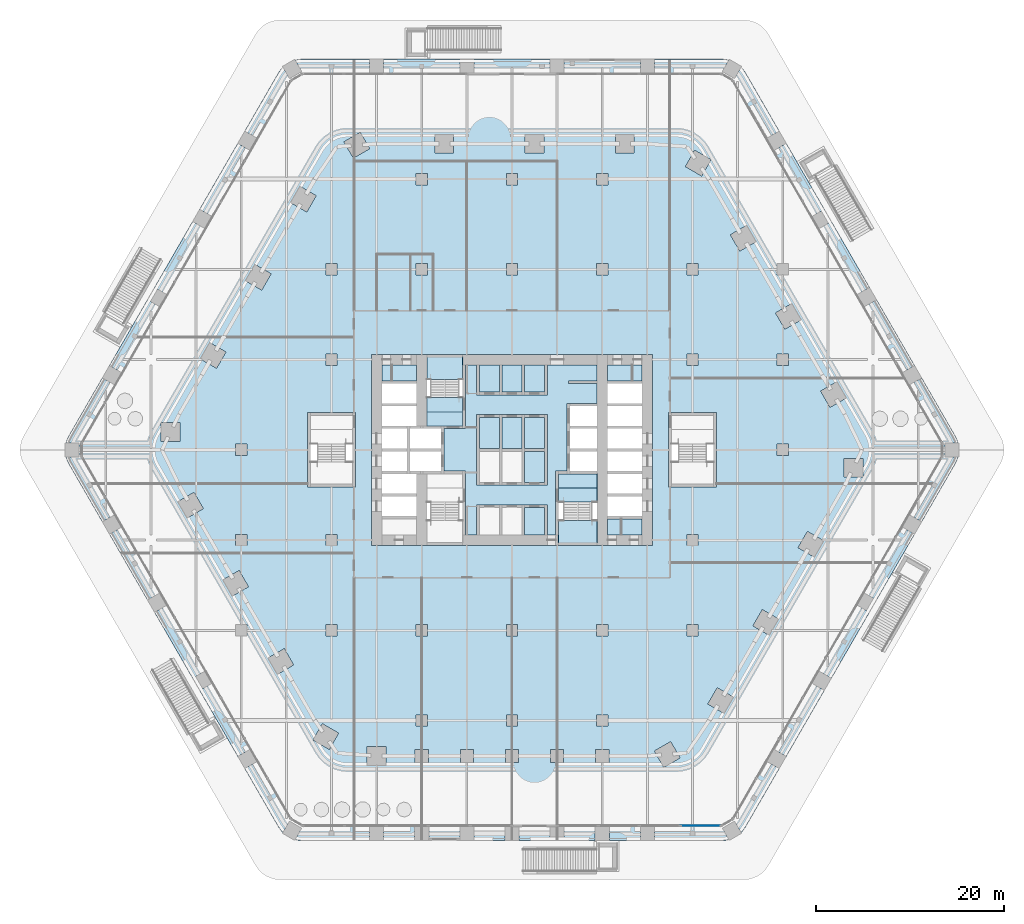
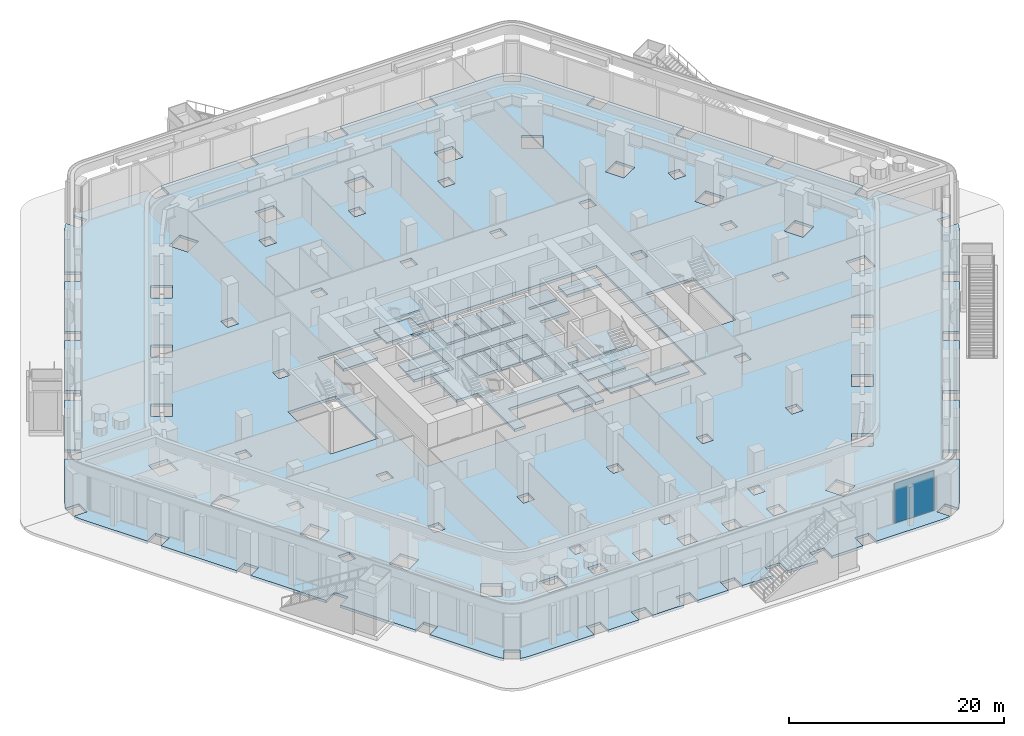
# One storey, part 14 of 34: 23 slabs, 1 plate, 3 elements without a shape of their own.
"""IFC4 building model written with IfcOpenShell, lengths in metres."""

import ifcopenshell
import ifcopenshell.guid

model = None  # the IFC model being written
_history = None  # IfcOwnerHistory: only IFC2X3 demands one
_inside = {}  # id of a spatial element -> (the spatial element, [elements in it])
_under = {}  # id of a project, library or spatial element -> (it, [spatial elements below it])
_declared = {}  # id of a project -> (the project, [libraries it declares])
_typed = {}  # id of a type object -> (the type object, [elements of that type])
_made_of = {}  # id of a material, layer set ... -> (it, [elements and type objects made of it])


def new_model(schema):
    """Start an empty IFC model of exactly this schema.

    Asked for "IFC4X3", IfcOpenShell would pick the latest addendum, in which some entities
    have other attributes; the version numbers below select the first issue.
    IFC2X3 requires an IfcOwnerHistory on every rooted entity: one is made here for all.
    """
    global model, _history
    if schema == "IFC4X3":
        model = ifcopenshell.file(schema_version=(4, 3, 0, 0))
    else:
        model = ifcopenshell.file(schema=schema)
    _inside.clear()
    _under.clear()
    _declared.clear()
    _typed.clear()
    _made_of.clear()
    _history = None
    if model.schema == "IFC2X3":
        org = make("IfcOrganization", Name="unknown")
        user = make(
            "IfcPersonAndOrganization",
            ThePerson=make("IfcPerson", FamilyName="unknown"),
            TheOrganization=org,
        )
        app = make(
            "IfcApplication",
            ApplicationDeveloper=org,
            Version="unknown",
            ApplicationFullName="unknown",
            ApplicationIdentifier="unknown",
        )
        _history = make(
            "IfcOwnerHistory",
            OwningUser=user,
            OwningApplication=app,
            ChangeAction="ADDED",
            CreationDate=0,
        )
    return model


def make(cls, **values):
    """One entity of the class cls with the attributes given. An attribute that is None is left unset."""
    return model.create_entity(
        cls, **{name: value for name, value in values.items() if value is not None}
    )


def rooted(cls, **values):
    """An entity with a GlobalId (a new one), such as an element, a storey or a relation."""
    return make(cls, GlobalId=ifcopenshell.guid.new(), OwnerHistory=_history, **values)


def si_unit(unit_type, name, prefix=None):
    """IfcSIUnit, for example si_unit("LENGTHUNIT", "METRE", prefix="MILLI")."""
    return make("IfcSIUnit", UnitType=unit_type, Prefix=prefix, Name=name)


def assignment(units):
    """IfcUnitAssignment: the units of a project."""
    return None if units is None else make("IfcUnitAssignment", Units=units)


def point(xyz):
    """IfcCartesianPoint."""
    return None if xyz is None else make("IfcCartesianPoint", Coordinates=xyz)


def direction(xyz):
    """IfcDirection."""
    return None if xyz is None else make("IfcDirection", DirectionRatios=xyz)


def frame(location, z_axis=None, x_axis=None):
    """IfcAxis2Placement3D, a coordinate frame: its origin and axes. An axis left out is left unset."""
    return make(
        "IfcAxis2Placement3D",
        Location=point(location),
        Axis=direction(z_axis),
        RefDirection=direction(x_axis),
    )


def frame_2d(location, x_axis=None):
    """IfcAxis2Placement2D, a coordinate frame in the plane: its origin and x axis."""
    return make(
        "IfcAxis2Placement2D", Location=point(location), RefDirection=direction(x_axis)
    )


def origin():
    """The frame at (0, 0, 0) with its axes left unset."""
    return frame((0.0, 0.0, 0.0))


def origin_2d():
    """The frame at (0, 0) in the plane with its x axis left unset."""
    return frame_2d((0.0, 0.0))


def place(relative_to, where):
    """IfcLocalPlacement: puts the frame where relative to a parent placement (None: the world)."""
    return make(
        "IfcLocalPlacement", PlacementRelTo=relative_to, RelativePlacement=where
    )


def context(
    kind, dimensions, precision=None, world=None, true_north=None, identifier=None
):
    """IfcGeometricRepresentationContext, for example the 3D "Model" context."""
    return make(
        "IfcGeometricRepresentationContext",
        ContextIdentifier=identifier,
        ContextType=kind,
        CoordinateSpaceDimension=dimensions,
        Precision=precision,
        WorldCoordinateSystem=world,
        TrueNorth=true_north,
    )


def subcontext(parent, identifier, kind, view, scale=None):
    """IfcGeometricRepresentationSubContext, for example "Body" below "Model"."""
    return make(
        "IfcGeometricRepresentationSubContext",
        ContextIdentifier=identifier,
        ContextType=kind,
        ParentContext=parent,
        TargetScale=scale,
        TargetView=view,
    )


def project(units=None, contexts=None):
    """IfcProject with its units and contexts."""
    return rooted(
        "IfcProject",
        Name="project",
        RepresentationContexts=contexts,
        UnitsInContext=assignment(units),
    )


def spatial(cls, under=None, at=None, **own):
    """A site, building, storey or space (cls), placed at a placement, below another one or the project."""
    s = rooted(cls, ObjectPlacement=at, **own)
    if under is not None:
        _under.setdefault(under.id(), (under, []))[1].append(s)
    return s


def polyline(points):
    """IfcPolyline through the points."""
    return make("IfcPolyline", Points=[point(p) for p in points])


def profile(cls, at=None, kind="AREA", **sizes):
    """A parametric profile (cls). Its sizes go by their IFC names, for example OverallWidth=200.0."""
    return make(cls, ProfileType=kind, Position=at, **sizes)


def rectangle(**sizes):
    """IfcRectangleProfileDef."""
    return profile("IfcRectangleProfileDef", **sizes)


def outline(outer, holes=None, kind="AREA"):
    """IfcArbitraryClosedProfileDef: a profile drawn as a closed curve; with holes, ...WithVoids."""
    if holes is None:
        return make("IfcArbitraryClosedProfileDef", ProfileType=kind, OuterCurve=outer)
    return make(
        "IfcArbitraryProfileDefWithVoids",
        ProfileType=kind,
        OuterCurve=outer,
        InnerCurves=holes,
    )


def extrude(swept, where, along, depth):
    """IfcExtrudedAreaSolid: the profile swept, set in the frame where, extruded along a direction by depth."""
    return make(
        "IfcExtrudedAreaSolid",
        SweptArea=swept,
        Position=where,
        ExtrudedDirection=direction(along),
        Depth=depth,
    )


def shape(context_of_items, identifier, shape_type, items):
    """IfcShapeRepresentation: the items that make up one representation, for example the "Body"."""
    return make(
        "IfcShapeRepresentation",
        ContextOfItems=context_of_items,
        RepresentationIdentifier=identifier,
        RepresentationType=shape_type,
        Items=items,
    )


def material(Name=None, Category=None):
    """IfcMaterial."""
    return make("IfcMaterial", Name=Name, Category=Category)


def layer(
    of_material, thickness, ventilated=None, Name=None, Category=None, Priority=None
):
    """IfcMaterialLayer: one layer of a wall or slab, of a material (None: an air gap)."""
    return make(
        "IfcMaterialLayer",
        Material=of_material,
        LayerThickness=thickness,
        IsVentilated=ventilated,
        Name=Name,
        Category=Category,
        Priority=Priority,
    )


def layer_set(layers, Name=None):
    """IfcMaterialLayerSet."""
    return make("IfcMaterialLayerSet", MaterialLayers=layers, LayerSetName=Name)


def made_of(thing, what):
    """Note that an element or type object is made of a material, layer set ...; save() writes the relation."""
    if what is not None:
        _made_of.setdefault(what.id(), (what, []))[1].append(thing)
    return thing


def type_object(cls, material=None, **own):
    """A type object (cls), such as IfcWallType, which elements share."""
    return made_of(rooted(cls, **own), material)


def element(
    cls,
    number,
    at=None,
    inside=None,
    cuts=None,
    type_object=None,
    material=None,
    context=None,
    identifier="Body",
    shape_type=None,
    held_by="IfcProductDefinitionShape",
    body=None,
    shapes=None,
    **own,
):
    """One element of the class cls, such as IfcWall. Its Tag is "e" and its number.

    at: its placement. inside: the storey or other place that contains it. cuts: it is an
    opening in that element (IfcRelVoidsElement). A single representation is given by context,
    identifier, shape_type and body (its items); several are given by shapes. held_by: the class
    of the entity that holds the representations. save() writes the other relations.
    """
    e = rooted(cls, Tag="e%d" % number, ObjectPlacement=at, **own)
    if body is not None:
        shapes = [shape(context, identifier, shape_type, body)]
    if shapes is not None:
        e.Representation = make(held_by, Representations=shapes)
    if inside is not None:
        _inside.setdefault(inside.id(), (inside, []))[1].append(e)
    if cuts is not None:
        rooted(
            "IfcRelVoidsElement", RelatingBuildingElement=cuts, RelatedOpeningElement=e
        )
    if type_object is not None:
        _typed.setdefault(type_object.id(), (type_object, []))[1].append(e)
    return made_of(e, material)


def aggregate(whole, parts):
    """IfcRelAggregates: a whole, such as a stair, and the parts it consists of."""
    return rooted("IfcRelAggregates", RelatingObject=whole, RelatedObjects=parts)


def save(model, path):
    """Write the relations noted so far, then the file.

    IfcRelAggregates (storeys below a building ...), IfcRelContainedInSpatialStructure (elements
    in a storey), IfcRelDefinesByType, IfcRelAssociatesMaterial and IfcRelDeclares: one each for
    every whole, place, type object, material and project.
    """
    for whole, parts in _under.values():
        aggregate(whole, parts)
    for where, things in _inside.values():
        rooted(
            "IfcRelContainedInSpatialStructure",
            RelatedElements=things,
            RelatingStructure=where,
        )
    for kind, things in _typed.values():
        rooted("IfcRelDefinesByType", RelatedObjects=things, RelatingType=kind)
    for what, things in _made_of.values():
        rooted("IfcRelAssociatesMaterial", RelatedObjects=things, RelatingMaterial=what)
    for by, libraries in _declared.values():
        rooted("IfcRelDeclares", RelatingContext=by, RelatedDefinitions=libraries)
    model.write(path)


model = new_model("IFC4")

# Units and contexts
model_context = context("Model", 3, precision=1e-05, world=origin(), true_north=direction((0.0, 1.0)))
body_context = subcontext(model_context, "Body", "Model", "MODEL_VIEW")
ifc_project = project(units=[si_unit("LENGTHUNIT", "METRE"), si_unit("AREAUNIT", "SQUARE_METRE"), si_unit("VOLUMEUNIT", "CUBIC_METRE"), si_unit("PLANEANGLEUNIT", "RADIAN"), si_unit("MASSUNIT", "GRAM", prefix="KILO")], contexts=[model_context])

# Site, building, storey
site_placement = place(None, origin())
site = spatial("IfcSite", under=ifc_project, at=site_placement, CompositionType="ELEMENT")
building_placement = place(site_placement, origin())
building = spatial("IfcBuilding", under=site, at=building_placement, Name="Kolab Exchange Tower", CompositionType="ELEMENT")
storey_placement = place(building_placement, frame((0.0, 0.0, 12.39990234375)))
storey = spatial("IfcBuildingStorey", under=building, at=storey_placement, Name="L02", CompositionType="ELEMENT", Elevation=12.39990234375)

# Slabs
ifc_material_1 = material(Name="Concrete C35/45", Category="concrete")
ifc_layer_1 = layer(ifc_material_1, 0.300048828125)
ifc_layer_set_1 = layer_set([ifc_layer_1], Name="Concrete C35/45")
slab_type_1 = type_object("IfcSlabType", Name="FLOOR SLAB 300", PredefinedType="FLOOR", material=ifc_layer_set_1)
slab_1_placement = place(storey_placement, frame((0.0, 0.0, -0.2998046875)))
element("IfcSlab", 1, at=slab_1_placement, inside=storey, type_object=slab_type_1, Name="slab/L02/floor/0", PredefinedType="FLOOR", context=body_context, shape_type="SweptSolid", body=[
    extrude(outline(polyline([(47.35498046875, -1.026123046875), (47.428955078125, -0.75), (46.035888671875, -0.75), (46.035888671875, 0.75), (47.428955078125, 0.75), (47.35498046875, 1.026123046875), (47.134033203125, 1.5), (43.574951171875, 7.664306640625), (42.27587890625, 6.914306640625), (41.52587890625, 8.21337890625), (42.824951171875, 8.96337890625), (38.77490234375, 15.978271484375), (37.47607421875, 15.228271484375), (36.72607421875, 16.527099609375), (38.02490234375, 17.277099609375), (33.97509765625, 24.2919921875), (32.676025390625, 23.5419921875), (31.926025390625, 24.841064453125), (33.22509765625, 25.591064453125), (29.175048828125, 32.60595703125), (27.8759765625, 31.85595703125), (27.1259765625, 33.15478515625), (28.425048828125, 33.90478515625), (24.865966796875, 40.0693359375), (24.566162109375, 40.49755859375), (24.364013671875, 40.69970703125), (23.66748046875, 39.4931640625), (22.368408203125, 40.2431640625), (23.06494140625, 41.44970703125), (22.788818359375, 41.523681640625), (22.26806640625, 41.5693359375), (15.14990234375, 41.5693359375), (15.14990234375, 40.0693359375), (13.64990234375, 40.0693359375), (13.64990234375, 41.5693359375), (5.550048828125, 41.5693359375), (5.550048828125, 40.0693359375), (4.050048828125, 40.0693359375), (4.050048828125, 41.5693359375), (-4.050048828125, 41.5693359375), (-4.050048828125, 40.0693359375), (-5.550048828125, 40.0693359375), (-5.550048828125, 41.5693359375), (-13.64990234375, 41.5693359375), (-13.64990234375, 40.0693359375), (-15.14990234375, 40.0693359375), (-15.14990234375, 41.5693359375), (-22.26806640625, 41.5693359375), (-22.788818359375, 41.523681640625), (-23.06494140625, 41.44970703125), (-22.368408203125, 40.2431640625), (-23.66748046875, 39.4931640625), (-24.364013671875, 40.69970703125), (-24.566162109375, 40.49755859375), (-24.865966796875, 40.0693359375), (-28.425048828125, 33.90478515625), (-27.1259765625, 33.15478515625), (-27.8759765625, 31.85595703125), (-29.175048828125, 32.60595703125), (-33.22509765625, 25.591064453125), (-31.926025390625, 24.841064453125), (-32.676025390625, 23.5419921875), (-33.97509765625, 24.2919921875), (-38.02490234375, 17.277099609375), (-36.72607421875, 16.527099609375), (-37.47607421875, 15.228271484375), (-38.77490234375, 15.978271484375), (-42.824951171875, 8.96337890625), (-41.52587890625, 8.21337890625), (-42.27587890625, 6.914306640625), (-43.574951171875, 7.664306640625), (-47.134033203125, 1.5), (-47.35498046875, 1.026123046875), (-47.428955078125, 0.75), (-46.035888671875, 0.75), (-46.035888671875, -0.75), (-47.428955078125, -0.75), (-47.35498046875, -1.026123046875), (-47.134033203125, -1.5), (-43.574951171875, -7.664306640625), (-42.27587890625, -6.914306640625), (-41.52587890625, -8.21337890625), (-42.824951171875, -8.96337890625), (-38.77490234375, -15.978271484375), (-37.47607421875, -15.228271484375), (-36.72607421875, -16.527099609375), (-38.02490234375, -17.277099609375), (-33.97509765625, -24.2919921875), (-32.676025390625, -23.5419921875), (-31.926025390625, -24.841064453125), (-33.22509765625, -25.591064453125), (-29.175048828125, -32.60595703125), (-27.8759765625, -31.85595703125), (-27.1259765625, -33.15478515625), (-28.425048828125, -33.90478515625), (-24.865966796875, -40.0693359375), (-24.566162109375, -40.49755859375), (-24.364013671875, -40.69970703125), (-23.66748046875, -39.4931640625), (-22.368408203125, -40.2431640625), (-23.06494140625, -41.44970703125), (-22.788818359375, -41.523681640625), (-22.26806640625, -41.5693359375), (-15.14990234375, -41.5693359375), (-15.14990234375, -40.0693359375), (-13.64990234375, -40.0693359375), (-13.64990234375, -41.5693359375), (-10.35009765625, -41.5693359375), (-10.35009765625, -40.0693359375), (-8.85009765625, -40.0693359375), (-8.85009765625, -41.5693359375), (-5.550048828125, -41.5693359375), (-5.550048828125, -40.0693359375), (-4.050048828125, -40.0693359375), (-4.050048828125, -41.5693359375), (-0.75, -41.5693359375), (-0.75, -40.0693359375), (0.75, -40.0693359375), (0.75, -41.5693359375), (4.050048828125, -41.5693359375), (4.050048828125, -40.0693359375), (5.550048828125, -40.0693359375), (5.550048828125, -41.5693359375), (8.85009765625, -41.5693359375), (8.85009765625, -40.0693359375), (10.35009765625, -40.0693359375), (10.35009765625, -41.5693359375), (13.64990234375, -41.5693359375), (13.64990234375, -40.0693359375), (15.14990234375, -40.0693359375), (15.14990234375, -41.5693359375), (22.26806640625, -41.5693359375), (22.788818359375, -41.523681640625), (23.06494140625, -41.44970703125), (22.368408203125, -40.2431640625), (23.66748046875, -39.4931640625), (24.364013671875, -40.69970703125), (24.566162109375, -40.49755859375), (24.865966796875, -40.0693359375), (28.425048828125, -33.90478515625), (27.1259765625, -33.15478515625), (27.8759765625, -31.85595703125), (29.175048828125, -32.60595703125), (33.22509765625, -25.591064453125), (31.926025390625, -24.841064453125), (32.676025390625, -23.5419921875), (33.97509765625, -24.2919921875), (38.02490234375, -17.277099609375), (36.72607421875, -16.527099609375), (37.47607421875, -15.228271484375), (38.77490234375, -15.978271484375), (42.824951171875, -8.96337890625), (41.52587890625, -8.21337890625), (42.27587890625, -6.914306640625), (43.574951171875, -7.664306640625), (47.134033203125, -1.5), (47.35498046875, -1.026123046875)]), holes=[polyline([(-15.39990234375, -31.555419921875), (-13.39990234375, -31.555419921875), (-13.39990234375, -33.555419921875), (-15.39990234375, -33.555419921875), (-15.39990234375, -31.555419921875)]), polyline([(-20.171875, -29.1318359375), (-18.43994140625, -30.1318359375), (-19.43994140625, -31.86376953125), (-21.171875, -30.86376953125), (-20.171875, -29.1318359375)]), polyline([(-25.959716796875, -22.14697265625), (-24.227783203125, -21.14697265625), (-23.227783203125, -22.879150390625), (-24.959716796875, -23.879150390625), (-25.959716796875, -22.14697265625)]), polyline([(-18.60009765625, -18.60009765625), (-18.60009765625, -19.800048828125), (-19.800048828125, -19.800048828125), (-19.800048828125, -18.60009765625), (-18.60009765625, -18.60009765625)]), polyline([(-28.199951171875, -18.60009765625), (-28.199951171875, -19.800048828125), (-29.39990234375, -19.800048828125), (-29.39990234375, -18.60009765625), (-28.199951171875, -18.60009765625)]), polyline([(-29.02783203125, -12.833251953125), (-28.02783203125, -14.565185546875), (-29.759765625, -15.565185546875), (-30.759765625, -13.833251953125), (-29.02783203125, -12.833251953125)]), polyline([(-28.199951171875, -9.0), (-28.199951171875, -10.199951171875), (-29.39990234375, -10.199951171875), (-29.39990234375, -9.0), (-28.199951171875, -9.0)]), polyline([(-19.800048828125, -9.0), (-18.60009765625, -9.0), (-18.60009765625, -10.199951171875), (-19.800048828125, -10.199951171875), (-19.800048828125, -9.0)]), polyline([(-33.82763671875, -4.519287109375), (-32.82763671875, -6.25146484375), (-34.559814453125, -7.25146484375), (-35.559814453125, -5.519287109375), (-33.82763671875, -4.519287109375)]), polyline([(-21.75, -3.949951171875), (-21.75, 3.949951171875), (-21.449951171875, 3.949951171875), (-16.949951171875, 3.949951171875), (-16.64990234375, 3.949951171875), (-16.64990234375, -3.949951171875), (-16.949951171875, -3.949951171875), (-21.449951171875, -3.949951171875), (-21.75, -3.949951171875)]), polyline([(-9.050048828125, -10.14990234375), (-10.14990234375, -10.14990234375), (-13.85009765625, -10.14990234375), (-14.949951171875, -10.14990234375), (-14.949951171875, 10.14990234375), (-13.85009765625, 10.14990234375), (-10.14990234375, 10.14990234375), (-9.050048828125, 10.14990234375), (-5.25, 10.14990234375), (9.050048828125, 10.14990234375), (10.14990234375, 10.14990234375), (13.85009765625, 10.14990234375), (14.949951171875, 10.14990234375), (14.949951171875, -10.14990234375), (13.85009765625, -10.14990234375), (10.14990234375, -10.14990234375), (9.050048828125, -10.14990234375), (4.949951171875, -10.14990234375), (-5.25, -10.14990234375), (-9.050048828125, -10.14990234375)]), polyline([(-28.199951171875, 0.60009765625), (-28.199951171875, -0.60009765625), (-29.39990234375, -0.60009765625), (-29.39990234375, 0.60009765625), (-28.199951171875, 0.60009765625)]), polyline([(-37.31494140625, 2.903564453125), (-35.31494140625, 2.903564453125), (-35.31494140625, 0.903564453125), (-37.31494140625, 0.903564453125), (-37.31494140625, 2.903564453125)]), polyline([(-18.60009765625, 10.199951171875), (-18.60009765625, 9.0), (-19.800048828125, 9.0), (-19.800048828125, 10.199951171875), (-18.60009765625, 10.199951171875)]), polyline([(-32.159912109375, 11.408447265625), (-30.427734375, 10.408447265625), (-31.427734375, 8.67626953125), (-33.159912109375, 9.67626953125), (-32.159912109375, 11.408447265625)]), polyline([(-27.35986328125, 19.72216796875), (-25.627685546875, 18.72216796875), (-26.627685546875, 16.990234375), (-28.35986328125, 17.990234375), (-27.35986328125, 19.72216796875)]), polyline([(-18.60009765625, 19.800048828125), (-18.60009765625, 18.60009765625), (-19.800048828125, 18.60009765625), (-19.800048828125, 19.800048828125), (-18.60009765625, 19.800048828125)]), polyline([(-22.559814453125, 28.0361328125), (-20.82763671875, 27.0361328125), (-21.82763671875, 25.303955078125), (-23.559814453125, 26.303955078125), (-22.559814453125, 28.0361328125)]), polyline([(-16.14306640625, 33.767333984375), (-15.14306640625, 32.035400390625), (-16.875, 31.035400390625), (-17.875, 32.767333984375), (-16.14306640625, 33.767333984375)]), polyline([(-8.89990234375, -31.85546875), (-8.89990234375, -33.25537109375), (-10.300048828125, -33.25537109375), (-10.300048828125, -31.85546875), (-8.89990234375, -31.85546875)]), polyline([(-9.0, -28.199951171875), (-9.0, -29.39990234375), (-10.199951171875, -29.39990234375), (-10.199951171875, -28.199951171875), (-9.0, -28.199951171875)]), polyline([(-10.199951171875, -18.60009765625), (-9.0, -18.60009765625), (-9.0, -19.800048828125), (-10.199951171875, -19.800048828125), (-10.199951171875, -18.60009765625)]), polyline([(-10.199951171875, 19.800048828125), (-9.0, 19.800048828125), (-9.0, 18.60009765625), (-10.199951171875, 18.60009765625), (-10.199951171875, 19.800048828125)]), polyline([(-9.0, 29.39990234375), (-9.0, 28.199951171875), (-10.199951171875, 28.199951171875), (-10.199951171875, 29.39990234375), (-9.0, 29.39990234375)]), polyline([(-6.199951171875, 33.555419921875), (-6.199951171875, 31.555419921875), (-8.199951171875, 31.555419921875), (-8.199951171875, 33.555419921875), (-6.199951171875, 33.555419921875)]), polyline([(-4.10009765625, -31.85546875), (-4.10009765625, -33.25537109375), (-5.5, -33.25537109375), (-5.5, -31.85546875), (-4.10009765625, -31.85546875)]), polyline([(-0.699951171875, -31.85546875), (0.699951171875, -31.85546875), (0.699951171875, -33.25537109375), (-0.699951171875, -33.25537109375), (-0.699951171875, -31.85546875)]), polyline([(0.60009765625, -28.199951171875), (0.60009765625, -29.39990234375), (-0.60009765625, -29.39990234375), (-0.60009765625, -28.199951171875), (0.60009765625, -28.199951171875)]), polyline([(0.60009765625, -18.60009765625), (0.60009765625, -19.800048828125), (-0.60009765625, -19.800048828125), (-0.60009765625, -18.60009765625), (0.60009765625, -18.60009765625)]), polyline([(0.60009765625, 19.800048828125), (0.60009765625, 18.60009765625), (-0.60009765625, 18.60009765625), (-0.60009765625, 19.800048828125), (0.60009765625, 19.800048828125)]), polyline([(-0.60009765625, 29.39990234375), (0.60009765625, 29.39990234375), (0.60009765625, 28.199951171875), (-0.60009765625, 28.199951171875), (-0.60009765625, 29.39990234375)]), polyline([(3.39990234375, 33.555419921875), (3.39990234375, 31.555419921875), (1.39990234375, 31.555419921875), (1.39990234375, 33.555419921875), (3.39990234375, 33.555419921875)]), polyline([(5.5, -31.85546875), (5.5, -33.25537109375), (4.10009765625, -33.25537109375), (4.10009765625, -31.85546875), (5.5, -31.85546875)]), polyline([(8.89990234375, -31.85546875), (10.300048828125, -31.85546875), (10.300048828125, -33.25537109375), (8.89990234375, -33.25537109375), (8.89990234375, -31.85546875)]), polyline([(10.199951171875, -28.199951171875), (10.199951171875, -29.39990234375), (9.0, -29.39990234375), (9.0, -28.199951171875), (10.199951171875, -28.199951171875)]), polyline([(10.199951171875, -18.60009765625), (10.199951171875, -19.800048828125), (9.0, -19.800048828125), (9.0, -18.60009765625), (10.199951171875, -18.60009765625)]), polyline([(10.199951171875, 19.800048828125), (10.199951171875, 18.60009765625), (9.0, 18.60009765625), (9.0, 19.800048828125), (10.199951171875, 19.800048828125)]), polyline([(9.0, 29.39990234375), (10.199951171875, 29.39990234375), (10.199951171875, 28.199951171875), (9.0, 28.199951171875), (9.0, 29.39990234375)]), polyline([(13.0, 33.555419921875), (13.0, 31.555419921875), (11.0, 31.555419921875), (11.0, 33.555419921875), (13.0, 33.555419921875)]), polyline([(15.14306640625, -32.035400390625), (16.875, -31.035400390625), (17.875, -32.767333984375), (16.14306640625, -33.767333984375), (15.14306640625, -32.035400390625)]), polyline([(21.82763671875, -25.303955078125), (23.559814453125, -26.303955078125), (22.559814453125, -28.0361328125), (20.82763671875, -27.0361328125), (21.82763671875, -25.303955078125)]), polyline([(18.60009765625, -18.60009765625), (19.800048828125, -18.60009765625), (19.800048828125, -19.800048828125), (18.60009765625, -19.800048828125), (18.60009765625, -18.60009765625)]), polyline([(26.627685546875, -16.990234375), (28.35986328125, -17.990234375), (27.35986328125, -19.72216796875), (25.627685546875, -18.72216796875), (26.627685546875, -16.990234375)]), polyline([(30.427734375, -10.408447265625), (31.427734375, -8.67626953125), (33.159912109375, -9.67626953125), (32.159912109375, -11.408447265625), (30.427734375, -10.408447265625)]), polyline([(19.800048828125, -9.0), (19.800048828125, -10.199951171875), (18.60009765625, -10.199951171875), (18.60009765625, -9.0), (19.800048828125, -9.0)]), polyline([(21.75, -3.949951171875), (21.449951171875, -3.949951171875), (16.949951171875, -3.949951171875), (16.64990234375, -3.949951171875), (16.64990234375, 3.949951171875), (16.949951171875, 3.949951171875), (21.449951171875, 3.949951171875), (21.75, 3.949951171875), (21.75, -3.949951171875)]), polyline([(37.31494140625, -0.903564453125), (37.31494140625, -2.903564453125), (35.31494140625, -2.903564453125), (35.31494140625, -0.903564453125), (37.31494140625, -0.903564453125)]), polyline([(29.39990234375, 0.60009765625), (29.39990234375, -0.60009765625), (28.199951171875, -0.60009765625), (28.199951171875, 0.60009765625), (29.39990234375, 0.60009765625)]), polyline([(34.559814453125, 7.25146484375), (35.559814453125, 5.519287109375), (33.82763671875, 4.519287109375), (32.82763671875, 6.25146484375), (34.559814453125, 7.25146484375)]), polyline([(28.199951171875, 10.199951171875), (29.39990234375, 10.199951171875), (29.39990234375, 9.0), (28.199951171875, 9.0), (28.199951171875, 10.199951171875)]), polyline([(19.800048828125, 10.199951171875), (19.800048828125, 9.0), (18.60009765625, 9.0), (18.60009765625, 10.199951171875), (19.800048828125, 10.199951171875)]), polyline([(29.759765625, 15.565185546875), (30.759765625, 13.833251953125), (29.02783203125, 12.833251953125), (28.02783203125, 14.565185546875), (29.759765625, 15.565185546875)]), polyline([(19.800048828125, 19.800048828125), (19.800048828125, 18.60009765625), (18.60009765625, 18.60009765625), (18.60009765625, 19.800048828125), (19.800048828125, 19.800048828125)]), polyline([(29.39990234375, 19.800048828125), (29.39990234375, 18.60009765625), (28.199951171875, 18.60009765625), (28.199951171875, 19.800048828125), (29.39990234375, 19.800048828125)]), polyline([(23.227783203125, 22.879150390625), (24.959716796875, 23.879150390625), (25.959716796875, 22.14697265625), (24.227783203125, 21.14697265625), (23.227783203125, 22.879150390625)]), polyline([(19.43994140625, 31.86376953125), (21.171875, 30.86376953125), (20.171875, 29.1318359375), (18.43994140625, 30.1318359375), (19.43994140625, 31.86376953125)])]), origin(), (0.0, 0.0, 1.0), 0.2998046875),
])
slab_2_placement = place(storey_placement, frame((0.0, 0.0, -0.2998046875)))
element("IfcSlab", 2, at=slab_2_placement, inside=storey, type_object=slab_type_1, Name="slab/L02/floor/1", PredefinedType="FLOOR", context=body_context, shape_type="SweptSolid", body=[
    extrude(outline(polyline([(-5.25, 2.25), (-7.25, 2.25), (-7.25, -2.25), (-5.25, -2.25), (-4.949951171875, -2.25), (-4.949951171875, -9.050048828125), (-3.75, -9.050048828125), (-3.75, -5.85009765625), (-3.449951171875, -5.85009765625), (-1.35009765625, -5.85009765625), (-1.050048828125, -5.85009765625), (1.050048828125, -5.85009765625), (1.35009765625, -5.85009765625), (3.449951171875, -5.85009765625), (3.75, -5.85009765625), (3.75, -9.050048828125), (4.64990234375, -9.050048828125), (4.64990234375, -2.25), (4.949951171875, -2.25), (5.85009765625, -2.25), (5.85009765625, 4.949951171875), (6.14990234375, 4.949951171875), (9.050048828125, 4.949951171875), (9.050048828125, 7.050048828125), (6.0, 7.050048828125), (6.0, 7.35009765625), (9.050048828125, 7.35009765625), (9.050048828125, 9.050048828125), (3.75, 9.050048828125), (3.75, 5.85009765625), (3.449951171875, 5.85009765625), (1.35009765625, 5.85009765625), (1.050048828125, 5.85009765625), (-1.050048828125, 5.85009765625), (-1.35009765625, 5.85009765625), (-3.449951171875, 5.85009765625), (-3.75, 5.85009765625), (-3.75, 9.050048828125), (-4.949951171875, 9.050048828125), (-4.949951171875, 2.25), (-5.25, 2.25)]), holes=[polyline([(3.75, -3.75), (3.449951171875, -3.75), (1.35009765625, -3.75), (1.050048828125, -3.75), (-1.050048828125, -3.75), (-1.35009765625, -3.75), (-3.449951171875, -3.75), (-3.75, -3.75), (-3.75, 3.75), (-3.449951171875, 3.75), (-1.35009765625, 3.75), (-1.050048828125, 3.75), (1.050048828125, 3.75), (1.35009765625, 3.75), (3.449951171875, 3.75), (3.75, 3.75), (3.75, -3.75)])]), origin(), (0.0, 0.0, 1.0), 0.2998046875),
])
slab_3_placement = place(storey_placement, frame((0.0, 0.0, -0.2998046875)))
element("IfcSlab", 3, at=slab_3_placement, inside=storey, type_object=slab_type_1, Name="slab/L02/floor/3", PredefinedType="FLOOR", context=body_context, shape_type="SweptSolid", body=[
    extrude(outline(polyline([(-1.35009765625, 3.449951171875), (-3.449951171875, 3.449951171875), (-3.449951171875, 0.14990234375), (-1.35009765625, 0.14990234375), (-1.35009765625, 3.449951171875)])), origin(), (0.0, 0.0, 1.0), 0.2998046875),
])
slab_4_placement = place(storey_placement, frame((0.0, 0.0, -0.2998046875)))
element("IfcSlab", 4, at=slab_4_placement, inside=storey, type_object=slab_type_1, Name="slab/L02/floor/5", PredefinedType="FLOOR", context=body_context, shape_type="SweptSolid", body=[
    extrude(outline(polyline([(-1.050048828125, 3.449951171875), (-1.050048828125, 0.14990234375), (1.050048828125, 0.14990234375), (1.050048828125, 3.449951171875), (-1.050048828125, 3.449951171875)])), origin(), (0.0, 0.0, 1.0), 0.2998046875),
])
slab_5_placement = place(storey_placement, frame((0.0, 0.0, -0.2998046875)))
element("IfcSlab", 5, at=slab_5_placement, inside=storey, type_object=slab_type_1, Name="slab/L02/floor/6", PredefinedType="FLOOR", context=body_context, shape_type="SweptSolid", body=[
    extrude(outline(polyline([(1.35009765625, -0.14990234375), (1.35009765625, -3.449951171875), (3.449951171875, -3.449951171875), (3.449951171875, -0.14990234375), (1.35009765625, -0.14990234375)])), origin(), (0.0, 0.0, 1.0), 0.2998046875),
])
slab_6_placement = place(storey_placement, frame((0.0, 0.0, -0.2998046875)))
element("IfcSlab", 6, at=slab_6_placement, inside=storey, type_object=slab_type_1, Name="slab/L02/floor/7", PredefinedType="FLOOR", context=body_context, shape_type="SweptSolid", body=[
    extrude(outline(polyline([(1.35009765625, 3.449951171875), (1.35009765625, 0.14990234375), (3.449951171875, 0.14990234375), (3.449951171875, 3.449951171875), (1.35009765625, 3.449951171875)])), origin(), (0.0, 0.0, 1.0), 0.2998046875),
])
slab_7_placement = place(storey_placement, frame((0.0, 0.0, -0.2998046875)))
element("IfcSlab", 7, at=slab_7_placement, inside=storey, type_object=slab_type_1, Name="slab/L02/floor/11", PredefinedType="FLOOR", context=body_context, shape_type="SweptSolid", body=[
    extrude(outline(polyline([(-13.85009765625, 7.35009765625), (-10.14990234375, 7.35009765625), (-10.14990234375, 9.050048828125), (-13.85009765625, 9.050048828125), (-13.85009765625, 7.35009765625)])), origin(), (0.0, 0.0, 1.0), 0.2998046875),
])
slab_8_placement = place(storey_placement, frame((0.0, 0.0, -0.2998046875)))
element("IfcSlab", 8, at=slab_8_placement, inside=storey, type_object=slab_type_1, Name="slab/L02/floor/12", PredefinedType="FLOOR", context=body_context, shape_type="SweptSolid", body=[
    extrude(outline(polyline([(10.14990234375, -9.050048828125), (13.85009765625, -9.050048828125), (13.85009765625, -7.35009765625), (10.14990234375, -7.35009765625), (10.14990234375, -9.050048828125)])), origin(), (0.0, 0.0, 1.0), 0.2998046875),
])
slab_9_placement = place(storey_placement, frame((0.0, 0.0, -0.2998046875)))
element("IfcSlab", 9, at=slab_9_placement, inside=storey, type_object=slab_type_1, Name="slab/L02/floor/13", PredefinedType="FLOOR", context=body_context, shape_type="SweptSolid", body=[
    extrude(outline(polyline([(10.14990234375, 7.35009765625), (13.85009765625, 7.35009765625), (13.85009765625, 9.050048828125), (10.14990234375, 9.050048828125), (10.14990234375, 7.35009765625)])), origin(), (0.0, 0.0, 1.0), 0.2998046875),
])
slab_10_placement = place(storey_placement, frame((0.0, 0.0, -0.2998046875)))
element("IfcSlab", 10, at=slab_10_placement, inside=storey, type_object=slab_type_1, Name="slab/L02/floor/14", PredefinedType="FLOOR", context=body_context, shape_type="SweptSolid", body=[
    extrude(outline(polyline([(9.050048828125, -4.050048828125), (9.050048828125, -2.550048828125), (6.14990234375, -2.550048828125), (5.85009765625, -2.550048828125), (4.949951171875, -2.550048828125), (4.949951171875, -4.050048828125), (9.050048828125, -4.050048828125)])), origin(), (0.0, 0.0, 1.0), 0.2998046875),
])
slab_11_placement = place(storey_placement, frame((0.0, 0.0, -0.2998046875)))
element("IfcSlab", 11, at=slab_11_placement, inside=storey, type_object=slab_type_1, Name="slab/L02/floor/16", PredefinedType="FLOOR", context=body_context, shape_type="SweptSolid", body=[
    extrude(outline(polyline([(1.050048828125, 6.14990234375), (1.050048828125, 9.050048828125), (-1.050048828125, 9.050048828125), (-1.050048828125, 6.14990234375), (1.050048828125, 6.14990234375)])), origin(), (0.0, 0.0, 1.0), 0.2998046875),
])
slab_12_placement = place(storey_placement, frame((0.0, 0.0, -0.2998046875)))
element("IfcSlab", 12, at=slab_12_placement, inside=storey, type_object=slab_type_1, Name="slab/L02/floor/18", PredefinedType="FLOOR", context=body_context, shape_type="SweptSolid", body=[
    extrude(outline(polyline([(-1.35009765625, 6.14990234375), (-1.35009765625, 9.050048828125), (-3.449951171875, 9.050048828125), (-3.449951171875, 6.14990234375), (-1.35009765625, 6.14990234375)])), origin(), (0.0, 0.0, 1.0), 0.2998046875),
])
slab_13_placement = place(storey_placement, frame((0.0, 0.0, -0.2998046875)))
element("IfcSlab", 13, at=slab_13_placement, inside=storey, type_object=slab_type_1, Name="slab/L02/floor/19", PredefinedType="FLOOR", context=body_context, shape_type="SweptSolid", body=[
    extrude(outline(polyline([(1.35009765625, -6.14990234375), (1.35009765625, -9.050048828125), (3.449951171875, -9.050048828125), (3.449951171875, -6.14990234375), (1.35009765625, -6.14990234375)])), origin(), (0.0, 0.0, 1.0), 0.2998046875),
])
slab_14_placement = place(storey_placement, frame((0.0, 0.0, -0.2998046875)))
element("IfcSlab", 14, at=slab_14_placement, inside=storey, type_object=slab_type_1, Name="slab/L02/floor/20", PredefinedType="FLOOR", context=body_context, shape_type="SweptSolid", body=[
    extrude(outline(polyline([(1.35009765625, 6.14990234375), (3.449951171875, 6.14990234375), (3.449951171875, 9.050048828125), (1.35009765625, 9.050048828125), (1.35009765625, 6.14990234375)])), origin(), (0.0, 0.0, 1.0), 0.2998046875),
])
slab_15_placement = place(storey_placement, frame((0.0, 0.0, -0.2998046875)))
element("IfcSlab", 15, at=slab_15_placement, inside=storey, type_object=slab_type_1, Name="slab/L02/floor/22", PredefinedType="FLOOR", context=body_context, shape_type="SweptSolid", body=[
    extrude(outline(polyline([(-5.25, 4.050048828125), (-9.050048828125, 4.050048828125), (-9.050048828125, 2.550048828125), (-7.550048828125, 2.550048828125), (-7.25, 2.550048828125), (-5.25, 2.550048828125), (-5.25, 4.050048828125)])), origin(), (0.0, 0.0, 1.0), 0.2998046875),
])

# Curtain wall, plate
ifc_material_2 = material(Name="Aluminium EN AW-6063 T6", Category="aluminium")
curtain_wall_type = type_object("IfcCurtainWallType", Name="PODIUM STRUCTURAL GLAZING CURTAIN WALL", PredefinedType="NOTDEFINED", material=ifc_material_2)
curtain_wall_placement = place(storey_placement, origin())
curtain_wall = element("IfcCurtainWall", 16, at=curtain_wall_placement, inside=storey, type_object=curtain_wall_type, Name="cw/L02/F4-1", PredefinedType="NOTDEFINED")
ifc_material_3 = material(Name="Clear insulated glazing unit", Category="glass")
ifc_layer_2 = layer(ifc_material_3, 0.035888671875)
ifc_layer_set_2 = layer_set([ifc_layer_2], Name="Clear insulated glazing unit")
plate_type = type_object("IfcPlateType", Name="PODIUM STRUCTURAL GLAZING GLASS PANEL 36", PredefinedType="CURTAIN_PANEL", material=ifc_layer_set_2)
plate_placement = place(storey_placement, frame((20.064453125, -39.9892578125, 0.080078125), z_axis=(0.0, 0.0, 1.0), x_axis=(-1.0, 0.0, 0.0)))
plate = element("IfcPlate", 17, at=plate_placement, type_object=plate_type, Name="CW5 panel 1.1", PredefinedType="CURTAIN_PANEL", context=body_context, shape_type="SweptSolid", body=[
    extrude(rectangle(XDim=4.2470703125, YDim=0.035888671875, at=origin_2d()), origin(), (0.0, 0.0, 1.0), 4.5400390625),
])
aggregate(curtain_wall, [plate])

# Stair, slabs
ifc_material_4 = material(Name="Concrete C50/60", Category="concrete")
stair_type_1 = type_object("IfcStairType", Name="STAIR ST1 RISER 156.2", PredefinedType="DOUBLE_RETURN_STAIR", material=ifc_material_4)
stair_1_placement = place(storey_placement, origin())
stair_1 = element("IfcStair", 18, at=stair_1_placement, inside=storey, type_object=stair_type_1, Name="Stair 1", PredefinedType="DOUBLE_RETURN_STAIR")
ifc_layer_3 = layer(ifc_material_4, 0.199951171875)
ifc_layer_set_3 = layer_set([ifc_layer_3], Name="Concrete C50/60")
slab_type_2 = type_object("IfcSlabType", Name="STAIR LANDING 200", PredefinedType="LANDING", material=ifc_layer_set_3)
slab_16_placement = place(storey_placement, frame((0.0, 0.0, -0.199951171875)))
slab_16 = element("IfcSlab", 19, at=slab_16_placement, type_object=slab_type_2, Name="ST1 landing 1", PredefinedType="LANDING", context=body_context, shape_type="SweptSolid", body=[
    extrude(outline(polyline([(-9.050048828125, 4.050048828125), (-5.25, 4.050048828125), (-5.25, 5.550048828125), (-9.050048828125, 5.550048828125), (-9.050048828125, 4.050048828125)])), origin(), (0.0, 0.0, 1.0), 0.199951171875),
])
slab_17_placement = place(storey_placement, frame((0.0, 0.0, 1.050048828125)))
slab_17 = element("IfcSlab", 20, at=slab_17_placement, type_object=slab_type_2, Name="ST1 landing 2", PredefinedType="LANDING", context=body_context, shape_type="SweptSolid", body=[
    extrude(outline(polyline([(-9.110107421875, 7.510009765625), (-5.18994140625, 7.510009765625), (-5.18994140625, 9.909912109375), (-9.110107421875, 9.909912109375), (-9.110107421875, 7.510009765625)])), origin(), (0.0, 0.0, 1.0), 0.199951171875),
])
slab_18_placement = place(storey_placement, frame((0.0, 0.0, 2.300048828125)))
slab_18 = element("IfcSlab", 21, at=slab_18_placement, type_object=slab_type_2, Name="ST1 landing 3", PredefinedType="LANDING", context=body_context, shape_type="SweptSolid", body=[
    extrude(outline(polyline([(-9.110107421875, 2.489990234375), (-5.18994140625, 2.489990234375), (-5.18994140625, 5.550048828125), (-9.110107421875, 5.550048828125), (-9.110107421875, 2.489990234375)])), origin(), (0.0, 0.0, 1.0), 0.199951171875),
])
slab_19_placement = place(storey_placement, frame((0.0, 0.0, 3.550048828125)))
slab_19 = element("IfcSlab", 22, at=slab_19_placement, type_object=slab_type_2, Name="ST1 landing 4", PredefinedType="LANDING", context=body_context, shape_type="SweptSolid", body=[
    extrude(outline(polyline([(-9.050048828125, 7.510009765625), (-5.25, 7.510009765625), (-5.25, 9.909912109375), (-9.050048828125, 9.909912109375), (-9.050048828125, 7.510009765625)])), origin(), (0.0, 0.0, 1.0), 0.199951171875),
])
aggregate(stair_1, [slab_16, slab_17, slab_18, slab_19])

stair_type_2 = type_object("IfcStairType", Name="STAIR ST2 RISER 156.2", PredefinedType="DOUBLE_RETURN_STAIR", material=ifc_material_4)
stair_2_placement = place(storey_placement, origin())
stair_2 = element("IfcStair", 23, at=stair_2_placement, inside=storey, type_object=stair_type_2, Name="Stair 2", PredefinedType="DOUBLE_RETURN_STAIR")
slab_20_placement = place(storey_placement, frame((0.0, 0.0, -0.199951171875)))
slab_20 = element("IfcSlab", 24, at=slab_20_placement, type_object=slab_type_2, Name="ST2 landing 1", PredefinedType="LANDING", context=body_context, shape_type="SweptSolid", body=[
    extrude(outline(polyline([(4.949951171875, -5.550048828125), (9.050048828125, -5.550048828125), (9.050048828125, -4.050048828125), (4.949951171875, -4.050048828125), (4.949951171875, -5.550048828125)])), origin(), (0.0, 0.0, 1.0), 0.199951171875),
])
slab_21_placement = place(storey_placement, frame((0.0, 0.0, 1.050048828125)))
slab_21 = element("IfcSlab", 25, at=slab_21_placement, type_object=slab_type_2, Name="ST2 landing 2", PredefinedType="LANDING", context=body_context, shape_type="SweptSolid", body=[
    extrude(outline(polyline([(4.889892578125, -9.909912109375), (9.110107421875, -9.909912109375), (9.110107421875, -7.510009765625), (4.889892578125, -7.510009765625), (4.889892578125, -9.909912109375)])), origin(), (0.0, 0.0, 1.0), 0.199951171875),
])
slab_22_placement = place(storey_placement, frame((0.0, 0.0, 2.300048828125)))
slab_22 = element("IfcSlab", 26, at=slab_22_placement, type_object=slab_type_2, Name="ST2 landing 3", PredefinedType="LANDING", context=body_context, shape_type="SweptSolid", body=[
    extrude(outline(polyline([(4.889892578125, -5.550048828125), (9.110107421875, -5.550048828125), (9.110107421875, -2.489990234375), (4.889892578125, -2.489990234375), (4.889892578125, -5.550048828125)])), origin(), (0.0, 0.0, 1.0), 0.199951171875),
])
slab_23_placement = place(storey_placement, frame((0.0, 0.0, 3.550048828125)))
slab_23 = element("IfcSlab", 27, at=slab_23_placement, type_object=slab_type_2, Name="ST2 landing 4", PredefinedType="LANDING", context=body_context, shape_type="SweptSolid", body=[
    extrude(outline(polyline([(4.949951171875, -9.909912109375), (9.050048828125, -9.909912109375), (9.050048828125, -7.510009765625), (4.949951171875, -7.510009765625), (4.949951171875, -9.909912109375)])), origin(), (0.0, 0.0, 1.0), 0.199951171875),
])
aggregate(stair_2, [slab_20, slab_21, slab_22, slab_23])

save(model, "model.ifc")
